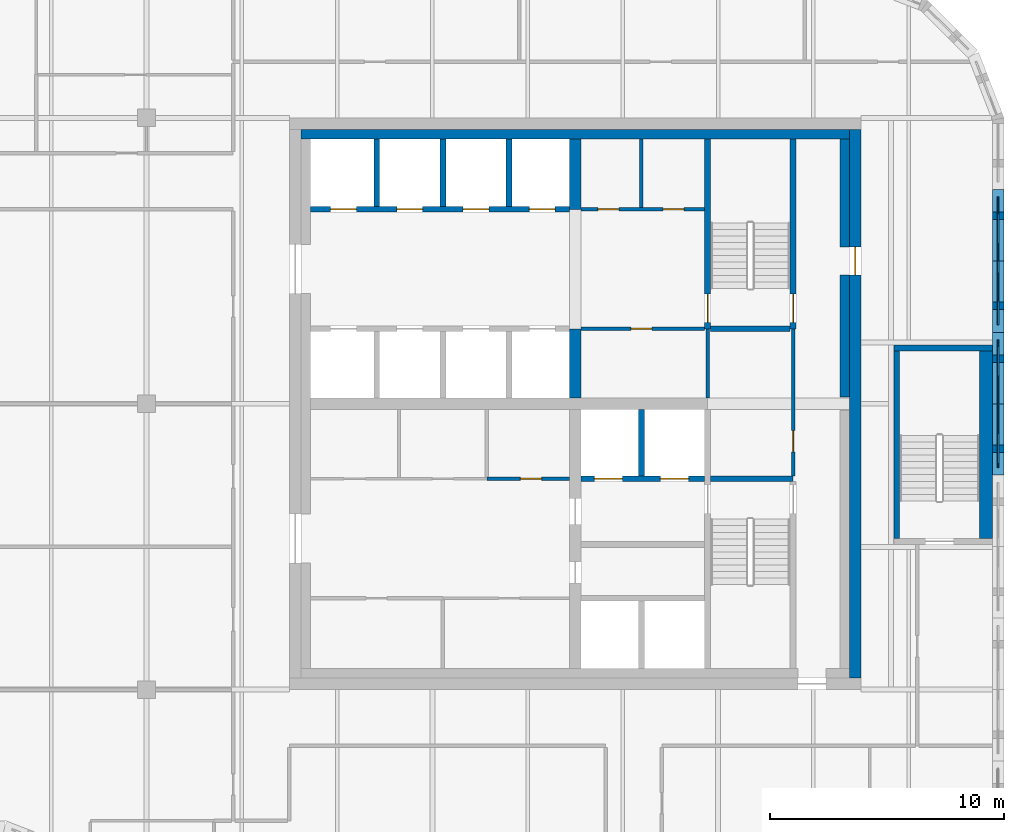
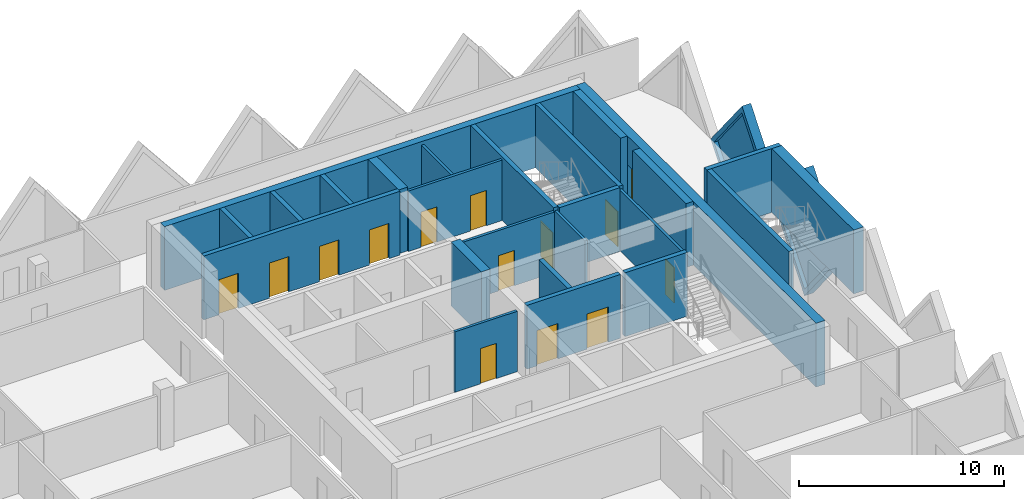
# One storey, part 9 of 12: 27 walls, 14 doors, 2 plates, 16 openings.
"""IFC4 building model written with IfcOpenShell, lengths in metres."""

from ifc_helpers import new_model, si_unit, direction, frame, frame_2d, origin, place, context, subcontext, project, spatial, polyline, rectangle, outline, extrude, faceted_brep, source, transform, mapped, material, layer, layer_set, type_object, element, fill, save


model = new_model("IFC4")

# Units and contexts
model_context = context("Model", 3, precision=1e-05, world=origin(), true_north=direction((0.0, 1.0)))
body_context = subcontext(model_context, "Body", "Model", "MODEL_VIEW")
ifc_project = project(units=[si_unit("LENGTHUNIT", "METRE"), si_unit("AREAUNIT", "SQUARE_METRE"), si_unit("VOLUMEUNIT", "CUBIC_METRE"), si_unit("PLANEANGLEUNIT", "RADIAN"), si_unit("MASSUNIT", "GRAM", prefix="KILO")], contexts=[model_context])

# Site, building, storey
site_placement = place(None, origin())
site = spatial("IfcSite", under=ifc_project, at=site_placement, CompositionType="ELEMENT")
building_placement = place(site_placement, origin())
building = spatial("IfcBuilding", under=site, at=building_placement, Name="Tessera Gate Towers", CompositionType="ELEMENT")
storey_placement = place(building_placement, frame((0.0, 0.0, 216.89990234375)))
storey = spatial("IfcBuildingStorey", under=building, at=storey_placement, Name="L54", CompositionType="ELEMENT", Elevation=216.89990234375)

# Wall, openings, doors
ifc_material_1 = material(Name="Concrete C40/50", Category="concrete")
ifc_layer_1 = layer(ifc_material_1, 0.25)
ifc_layer_set_1 = layer_set([ifc_layer_1], Name="CORE ENCLOSURE WALL 250")
wall_type_1 = type_object("IfcWallType", Name="CORE ENCLOSURE WALL 250", PredefinedType="SOLIDWALL", material=ifc_layer_set_1)
wall_1_placement = place(storey_placement, frame((42.449951171875, 44.89990234375, 0.0), z_axis=(0.0, 0.0, 1.0), x_axis=(-1.0, 0.0, 0.0)))
wall_1 = element("IfcWall", 1, at=wall_1_placement, inside=storey, type_object=wall_type_1, Name="L54 shaft and stair enclosure wall", PredefinedType="SOLIDWALL", context=body_context, shape_type="SweptSolid", body=[
    extrude(rectangle(XDim=11.050048828125, YDim=0.25, at=frame_2d((5.52490234375, 0.0))), origin(), (0.0, 0.0, 1.0), 3.800048828125),
])
shared_shape_1 = source(origin(), body_context, "Body", "SweptSolid", [
    extrude(rectangle(XDim=1.10009765625, YDim=2.10009765625, at=frame_2d((0.550048828125, 1.050048828125))), frame((0.0, 0.135009765625, 0.0), z_axis=(0.0, -1.0, 0.0), x_axis=(1.0, 0.0, 0.0)), (0.0, 0.0, 1.0), 0.27001953125),
])
opening_1_placement = place(wall_1_placement, frame((9.08740234375, 0.0, 0.0)))
opening_1 = element("IfcOpeningElement", 2, at=opening_1_placement, cuts=wall_1, Name="Opening LD-HR5", PredefinedType="OPENING", context=body_context, shape_type="MappedRepresentation", body=[
    mapped(shared_shape_1, transform((0.0, 0.0, 0.0), scale=1.0)),
])
opening_2_placement = place(wall_1_placement, frame((6.262451171875, 0.0, 0.0)))
opening_2 = element("IfcOpeningElement", 3, at=opening_2_placement, cuts=wall_1, Name="Opening LD-HR6", PredefinedType="OPENING", context=body_context, shape_type="MappedRepresentation", body=[
    mapped(shared_shape_1, transform((0.0, 0.0, 0.0), scale=1.0)),
])
opening_3_placement = place(wall_1_placement, frame((3.4375, 0.0, 0.0)))
opening_3 = element("IfcOpeningElement", 4, at=opening_3_placement, cuts=wall_1, Name="Opening LD-HR7", PredefinedType="OPENING", context=body_context, shape_type="MappedRepresentation", body=[
    mapped(shared_shape_1, transform((0.0, 0.0, 0.0), scale=1.0)),
])
opening_4_placement = place(wall_1_placement, frame((0.612548828125, 0.0, 0.0)))
opening_4 = element("IfcOpeningElement", 5, at=opening_4_placement, cuts=wall_1, Name="Opening LD-HR8", PredefinedType="OPENING", context=body_context, shape_type="MappedRepresentation", body=[
    mapped(shared_shape_1, transform((0.0, 0.0, 0.0), scale=1.0)),
])
ifc_material_2 = material(Name="Stainless steel", Category="steel")
door_type_1 = type_object("IfcDoorType", Name="CORE DOOR LD 1100x2100", OperationType="DOUBLE_DOOR_SLIDING", PredefinedType="DOOR", material=ifc_material_2)
shared_shape_2 = source(origin(), body_context, "Body", "SweptSolid", [
    extrude(rectangle(XDim=1.10009765625, YDim=2.10009765625, at=frame_2d((0.550048828125, 1.050048828125))), frame((0.0, 0.02490234375, 0.0), z_axis=(0.0, -1.0, 0.0), x_axis=(1.0, 0.0, 0.0)), (0.0, 0.0, 1.0), 0.050048828125),
])
door_1_placement = place(opening_1_placement, origin())
door_1 = element("IfcDoor", 6, at=door_1_placement, inside=storey, type_object=door_type_1, Name="Landing door HR5 L54", OperationType="DOUBLE_DOOR_SLIDING", OverallHeight=2.10009765625, OverallWidth=1.10009765625, PredefinedType="DOOR", context=body_context, shape_type="MappedRepresentation", body=[
    mapped(shared_shape_2, transform((0.0, 0.0, 0.0), scale=1.0)),
])
fill(opening_1, door_1)
door_2_placement = place(opening_2_placement, origin())
door_2 = element("IfcDoor", 7, at=door_2_placement, inside=storey, type_object=door_type_1, Name="Landing door HR6 L54", OperationType="DOUBLE_DOOR_SLIDING", OverallHeight=2.10009765625, OverallWidth=1.10009765625, PredefinedType="DOOR", context=body_context, shape_type="MappedRepresentation", body=[
    mapped(shared_shape_2, transform((0.0, 0.0, 0.0), scale=1.0)),
])
fill(opening_2, door_2)
door_3_placement = place(opening_3_placement, origin())
door_3 = element("IfcDoor", 8, at=door_3_placement, inside=storey, type_object=door_type_1, Name="Landing door HR7 L54", OperationType="DOUBLE_DOOR_SLIDING", OverallHeight=2.10009765625, OverallWidth=1.10009765625, PredefinedType="DOOR", context=body_context, shape_type="MappedRepresentation", body=[
    mapped(shared_shape_2, transform((0.0, 0.0, 0.0), scale=1.0)),
])
fill(opening_3, door_3)
door_4_placement = place(opening_4_placement, origin())
door_4 = element("IfcDoor", 9, at=door_4_placement, inside=storey, type_object=door_type_1, Name="Landing door HR8 L54", OperationType="DOUBLE_DOOR_SLIDING", OverallHeight=2.10009765625, OverallWidth=1.10009765625, PredefinedType="DOOR", context=body_context, shape_type="MappedRepresentation", body=[
    mapped(shared_shape_2, transform((0.0, 0.0, 0.0), scale=1.0)),
])
fill(opening_4, door_4)

wall_2_placement = place(storey_placement, frame((48.22509765625, 33.39990234375, 0.0), z_axis=(0.0, 0.0, 1.0), x_axis=(-1.0, 0.0, 0.0)))
wall_2 = element("IfcWall", 10, at=wall_2_placement, inside=storey, type_object=wall_type_1, Name="L54 shaft and stair enclosure wall", PredefinedType="SOLIDWALL", context=body_context, shape_type="SweptSolid", body=[
    extrude(rectangle(XDim=5.275146484375, YDim=0.25, at=frame_2d((2.6376953125, 0.0))), origin(), (0.0, 0.0, 1.0), 3.800048828125),
])
shared_shape_3 = source(origin(), body_context, "Body", "SweptSolid", [
    extrude(rectangle(XDim=1.199951171875, YDim=2.10009765625, at=frame_2d((0.60009765625, 1.050048828125))), frame((0.0, 0.135009765625, 0.0), z_axis=(0.0, -1.0, 0.0), x_axis=(1.0, 0.0, 0.0)), (0.0, 0.0, 1.0), 0.27001953125),
])
opening_5_placement = place(wall_2_placement, frame((3.512451171875, 0.0, 0.0)))
opening_5 = element("IfcOpeningElement", 11, at=opening_5_placement, cuts=wall_2, Name="Opening LD-FF1", PredefinedType="OPENING", context=body_context, shape_type="MappedRepresentation", body=[
    mapped(shared_shape_3, transform((0.0, 0.0, 0.0), scale=1.0)),
])
opening_6_placement = place(wall_2_placement, frame((0.6875, 0.0, 0.0)))
opening_6 = element("IfcOpeningElement", 12, at=opening_6_placement, cuts=wall_2, Name="Opening LD-FF2", PredefinedType="OPENING", context=body_context, shape_type="MappedRepresentation", body=[
    mapped(shared_shape_3, transform((0.0, 0.0, 0.0), scale=1.0)),
])
ifc_material_3 = material(Name="Stainless steel", Category="steel")
door_type_2 = type_object("IfcDoorType", Name="CORE DOOR LD1200 1200x2100", OperationType="DOUBLE_DOOR_SLIDING", PredefinedType="DOOR", material=ifc_material_3)
shared_shape_4 = source(origin(), body_context, "Body", "SweptSolid", [
    extrude(rectangle(XDim=1.199951171875, YDim=2.10009765625, at=frame_2d((0.60009765625, 1.050048828125))), frame((0.0, 0.02490234375, 0.0), z_axis=(0.0, -1.0, 0.0), x_axis=(1.0, 0.0, 0.0)), (0.0, 0.0, 1.0), 0.050048828125),
])
door_5_placement = place(opening_5_placement, origin())
door_5 = element("IfcDoor", 13, at=door_5_placement, inside=storey, type_object=door_type_2, Name="Landing door FF1 L54", OperationType="DOUBLE_DOOR_SLIDING", OverallHeight=2.10009765625, OverallWidth=1.199951171875, PredefinedType="DOOR", context=body_context, shape_type="MappedRepresentation", body=[
    mapped(shared_shape_4, transform((0.0, 0.0, 0.0), scale=1.0)),
])
fill(opening_5, door_5)
door_6_placement = place(opening_6_placement, origin())
door_6 = element("IfcDoor", 14, at=door_6_placement, inside=storey, type_object=door_type_2, Name="Landing door FF2 L54", OperationType="DOUBLE_DOOR_SLIDING", OverallHeight=2.10009765625, OverallWidth=1.199951171875, PredefinedType="DOOR", context=body_context, shape_type="MappedRepresentation", body=[
    mapped(shared_shape_4, transform((0.0, 0.0, 0.0), scale=1.0)),
])
fill(opening_6, door_6)

# Wall
wall_3_placement = place(storey_placement, frame((48.47509765625, 33.39990234375, 0.0), z_axis=(0.0, 0.0, 1.0), x_axis=(1.0, 0.0, 0.0)))
element("IfcWall", 15, at=wall_3_placement, inside=storey, type_object=wall_type_1, Name="L54 shaft and stair enclosure wall", PredefinedType="SOLIDWALL", context=body_context, shape_type="SweptSolid", body=[
    extrude(rectangle(XDim=3.52490234375, YDim=0.25, at=frame_2d((1.762451171875, 0.0))), origin(), (0.0, 0.0, 1.0), 3.800048828125),
])

# Wall, opening, door
wall_4_placement = place(storey_placement, frame((48.35009765625, 47.89990234375, 0.0), z_axis=(0.0, 0.0, 1.0), x_axis=(0.0, -1.0, 0.0)))
wall_4 = element("IfcWall", 16, at=wall_4_placement, inside=storey, type_object=wall_type_1, Name="L54 shaft and stair enclosure wall", PredefinedType="SOLIDWALL", context=body_context, shape_type="SweptSolid", body=[
    extrude(rectangle(XDim=8.099853515625, YDim=0.25, at=frame_2d((4.0498046875, 0.0))), origin(), (0.0, 0.0, 1.0), 3.800048828125),
])
opening_7_placement = place(wall_4_placement, frame((6.625, 0.0, 0.0)))
opening_7 = element("IfcOpeningElement", 17, at=opening_7_placement, cuts=wall_4, Name="Opening SD-ST2-1", PredefinedType="OPENING", context=body_context, shape_type="MappedRepresentation", body=[
    mapped(shared_shape_3, transform((0.0, 0.0, 0.0), scale=1.0)),
])
ifc_material_4 = material(Name="Hollow steel fire door", Category="steel")
door_type_3 = type_object("IfcDoorType", Name="CORE DOOR SD 1200x2100", OperationType="NOTDEFINED", PredefinedType="DOOR", material=ifc_material_4)
door_7_placement = place(opening_7_placement, origin())
door_7 = element("IfcDoor", 18, at=door_7_placement, inside=storey, type_object=door_type_3, Name="Stair door", OperationType="SINGLE_SWING_RIGHT", OverallHeight=2.10009765625, OverallWidth=1.199951171875, PredefinedType="DOOR", context=body_context, shape_type="MappedRepresentation", body=[
    mapped(shared_shape_4, transform((0.0, 0.0, 0.0), scale=1.0)),
])
fill(opening_7, door_7)

wall_5_placement = place(storey_placement, frame((52.0, 39.800048828125, 0.0), z_axis=(0.0, 0.0, 1.0), x_axis=(0.0, 1.0, 0.0)))
wall_5 = element("IfcWall", 19, at=wall_5_placement, inside=storey, type_object=wall_type_1, Name="L54 shaft and stair enclosure wall", PredefinedType="SOLIDWALL", context=body_context, shape_type="SweptSolid", body=[
    extrude(rectangle(XDim=8.099853515625, YDim=0.25, at=frame_2d((4.0498046875, 0.0))), origin(), (0.0, 0.0, 1.0), 3.800048828125),
])
opening_8_placement = place(wall_5_placement, frame((0.27490234375, 0.0, 0.0)))
opening_8 = element("IfcOpeningElement", 20, at=opening_8_placement, cuts=wall_5, Name="Opening SD-ST2-2", PredefinedType="OPENING", context=body_context, shape_type="MappedRepresentation", body=[
    mapped(shared_shape_3, transform((0.0, 0.0, 0.0), scale=1.0)),
])
door_8_placement = place(opening_8_placement, origin())
door_8 = element("IfcDoor", 21, at=door_8_placement, inside=storey, type_object=door_type_3, Name="Stair door", OperationType="SINGLE_SWING_LEFT", OverallHeight=2.10009765625, OverallWidth=1.199951171875, PredefinedType="DOOR", context=body_context, shape_type="MappedRepresentation", body=[
    mapped(shared_shape_4, transform((0.0, 0.0, 0.0), scale=1.0)),
])
fill(opening_8, door_8)

# Walls
wall_6_placement = place(storey_placement, frame((48.47509765625, 39.800048828125, 0.0), z_axis=(0.0, 0.0, 1.0), x_axis=(1.0, 0.0, 0.0)))
element("IfcWall", 22, at=wall_6_placement, inside=storey, type_object=wall_type_1, Name="L54 shaft and stair enclosure wall", PredefinedType="SOLIDWALL", context=body_context, shape_type="SweptSolid", body=[
    extrude(rectangle(XDim=3.39990234375, YDim=0.25, at=frame_2d((1.699951171875, 0.0))), origin(), (0.0, 0.0, 1.0), 3.800048828125),
])
wall_7_placement = place(storey_placement, frame((45.52490234375, 33.52490234375, 0.0), z_axis=(0.0, 0.0, 1.0), x_axis=(0.0, 1.0, 0.0)))
element("IfcWall", 23, at=wall_7_placement, inside=storey, type_object=wall_type_1, Name="L54 shaft and stair enclosure wall", PredefinedType="SOLIDWALL", context=body_context, shape_type="SweptSolid", body=[
    extrude(rectangle(XDim=2.8251953125, YDim=0.25, at=frame_2d((1.41259765625, 0.0))), origin(), (0.0, 0.0, 1.0), 3.800048828125),
])
for number, where, z_axis, x_axis, name in (
    (24, (34.22509765625, 45.02490234375, 0.0), (0.0, 0.0, 1.0), (0.0, 1.0, 0.0), "L54 shaft and stair enclosure wall"),
    (25, (37.050048828125, 45.02490234375, 0.0), (0.0, 0.0, 1.0), (0.0, 1.0, 0.0), "L54 shaft and stair enclosure wall"),
    (26, (39.875, 45.02490234375, 0.0), (0.0, 0.0, 1.0), (0.0, 1.0, 0.0), "L54 shaft and stair enclosure wall"),
):
    element("IfcWall", number, at=place(storey_placement, frame(where, z_axis=z_axis, x_axis=x_axis)), inside=storey, type_object=wall_type_1, Name=name, PredefinedType="SOLIDWALL", context=body_context, shape_type="SweptSolid", body=[
        extrude(rectangle(XDim=2.875, YDim=0.25, at=frame_2d((1.4375, 0.0))), origin(), (0.0, 0.0, 1.0), 3.800048828125),
    ])
wall_8_placement = place(storey_placement, frame((56.425048828125, 30.85009765625, 0.0), z_axis=(0.0, 0.0, 1.0), x_axis=(0.0, 1.0, 0.0)))
element("IfcWall", 27, at=wall_8_placement, inside=storey, type_object=wall_type_1, Name="L54 ST5 enclosure wall", PredefinedType="SOLIDWALL", context=body_context, shape_type="SweptSolid", body=[
    extrude(rectangle(XDim=8.0, YDim=0.25, at=frame_2d((4.0, 0.0))), origin(), (0.0, 0.0, 1.0), 3.800048828125),
])
wall_9_placement = place(storey_placement, frame((56.300048828125, 38.97509765625, 0.0), z_axis=(0.0, 0.0, 1.0), x_axis=(1.0, 0.0, 0.0)))
element("IfcWall", 28, at=wall_9_placement, inside=storey, type_object=wall_type_1, Name="L54 ST5 enclosure wall", PredefinedType="SOLIDWALL", context=body_context, shape_type="SweptSolid", body=[
    extrude(rectangle(XDim=4.199951171875, YDim=0.25, at=frame_2d((2.10009765625, 0.0))), origin(), (0.0, 0.0, 1.0), 3.800048828125),
])
ifc_material_5 = material(Name="Concrete C40/50", Category="concrete")
ifc_layer_2 = layer(ifc_material_5, 0.550048828125)
ifc_layer_set_2 = layer_set([ifc_layer_2], Name="CORE ENCLOSURE WALL 550")
wall_type_2 = type_object("IfcWallType", Name="CORE ENCLOSURE WALL 550", PredefinedType="SOLIDWALL", material=ifc_layer_set_2)
wall_10_placement = place(storey_placement, frame((60.22509765625, 38.85009765625, 0.0), z_axis=(0.0, 0.0, 1.0), x_axis=(0.0, -1.0, 0.0)))
element("IfcWall", 29, at=wall_10_placement, inside=storey, type_object=wall_type_2, Name="L54 ST5 enclosure wall", PredefinedType="SOLIDWALL", context=body_context, shape_type="SweptSolid", body=[
    extrude(rectangle(XDim=8.0, YDim=0.550048828125, at=frame_2d((4.0, 0.0))), origin(), (0.0, 0.0, 1.0), 3.800048828125),
])

# Wall, opening, door
ifc_material_6 = material(Name="Concrete C50/60", Category="concrete")
ifc_layer_3 = layer(ifc_material_6, 0.5)
ifc_layer_set_3 = layer_set([ifc_layer_3], Name="CORE SHEAR WALL 500 C50/60")
wall_type_3 = type_object("IfcWallType", Name="CORE SHEAR WALL 500 C50/60", PredefinedType="SHEAR", material=ifc_layer_set_3)
wall_11_placement = place(storey_placement, frame((54.64990234375, 48.300048828125, 0.0), z_axis=(0.0, 0.0, 1.0), x_axis=(0.0, -1.0, 0.0)))
wall_11 = element("IfcWall", 30, at=wall_11_placement, inside=storey, type_object=wall_type_3, Name="Core wall E L54", PredefinedType="SHEAR", context=body_context, shape_type="SweptSolid", body=[
    extrude(rectangle(XDim=23.400146484375, YDim=0.5, at=frame_2d((11.7001953125, 0.0))), origin(), (0.0, 0.0, 1.0), 3.800048828125),
])
shared_shape_5 = source(origin(), body_context, "Body", "SweptSolid", [
    extrude(rectangle(XDim=1.199951171875, YDim=2.10009765625, at=frame_2d((0.60009765625, 1.050048828125))), frame((0.0, 0.260009765625, 0.0), z_axis=(0.0, -1.0, 0.0), x_axis=(1.0, 0.0, 0.0)), (0.0, 0.0, 1.0), 0.52001953125),
])
opening_9_placement = place(wall_11_placement, frame((5.0, 0.0, 0.0)))
opening_9 = element("IfcOpeningElement", 31, at=opening_9_placement, cuts=wall_11, Name="Opening ED-T1-33-04", PredefinedType="OPENING", context=body_context, shape_type="MappedRepresentation", body=[
    mapped(shared_shape_5, transform((0.0, 0.0, 0.0), scale=1.0)),
])
ifc_material_7 = material(Name="Hollow steel fire door", Category="steel")
door_type_4 = type_object("IfcDoorType", Name="CORE DOOR ED 1200x2100", OperationType="NOTDEFINED", PredefinedType="DOOR", material=ifc_material_7)
door_9_placement = place(opening_9_placement, origin())
door_9 = element("IfcDoor", 32, at=door_9_placement, inside=storey, type_object=door_type_4, Name="Core exit door", OperationType="SINGLE_SWING_LEFT", OverallHeight=2.10009765625, OverallWidth=1.199951171875, PredefinedType="DOOR", context=body_context, shape_type="MappedRepresentation", body=[
    mapped(shared_shape_4, transform((0.0, 0.0, 0.0), scale=1.0)),
])
fill(opening_9, door_9)

# Walls
ifc_material_8 = material(Name="Concrete C50/60", Category="concrete")
ifc_layer_4 = layer(ifc_material_8, 0.5)
ifc_layer_set_4 = layer_set([ifc_layer_4], Name="CORE SPINE WALL 500 C50/60")
wall_type_4 = type_object("IfcWallType", Name="CORE SPINE WALL 500 C50/60", PredefinedType="SHEAR", material=ifc_layer_set_4)
wall_12_placement = place(storey_placement, frame((42.699951171875, 36.85009765625, 0.0), z_axis=(0.0, 0.0, 1.0), x_axis=(0.0, 1.0, 0.0)))
element("IfcWall", 33, at=wall_12_placement, inside=storey, type_object=wall_type_4, Name="Core wall spine L54", PredefinedType="SHEAR", context=body_context, shape_type="SweptSolid", body=[
    extrude(rectangle(XDim=2.949951171875, YDim=0.5, at=frame_2d((1.47509765625, 0.0))), origin(), (0.0, 0.0, 1.0), 3.800048828125),
])
wall_13_placement = place(storey_placement, frame((42.699951171875, 44.89990234375, 0.0), z_axis=(0.0, 0.0, 1.0), x_axis=(0.0, 1.0, 0.0)))
element("IfcWall", 34, at=wall_13_placement, inside=storey, type_object=wall_type_4, Name="Core wall spine L54", PredefinedType="SHEAR", context=body_context, shape_type="SweptSolid", body=[
    extrude(rectangle(XDim=3.0, YDim=0.5, at=frame_2d((1.5, 0.0))), origin(), (0.0, 0.0, 1.0), 3.800048828125),
])
ifc_material_9 = material(Name="Concrete C50/60", Category="concrete")
ifc_layer_5 = layer(ifc_material_9, 0.39990234375)
ifc_layer_set_5 = layer_set([ifc_layer_5], Name="CORE WALL THICKENING 400")
wall_type_5 = type_object("IfcWallType", Name="CORE WALL THICKENING 400", PredefinedType="SOLIDWALL", material=ifc_layer_set_5)
wall_14_placement = place(storey_placement, frame((31.0, 48.10009765625, 0.0), z_axis=(0.0, 0.0, 1.0), x_axis=(1.0, 0.0, 0.0)))
element("IfcWall", 35, at=wall_14_placement, inside=storey, type_object=wall_type_5, Name="Core wall thickening N L54", PredefinedType="SOLIDWALL", context=body_context, shape_type="SweptSolid", body=[
    extrude(rectangle(XDim=23.39990234375, YDim=0.39990234375, at=frame_2d((11.699951171875, 0.0))), origin(), (0.0, 0.0, 1.0), 3.800048828125),
])
wall_15_placement = place(storey_placement, frame((54.199951171875, 36.8798828125, 0.0), z_axis=(0.0, 0.0, 1.0), x_axis=(0.0, 1.0, 0.0)))
element("IfcWall", 36, at=wall_15_placement, inside=storey, type_object=wall_type_5, Name="Core wall thickening E L54", PredefinedType="SOLIDWALL", context=body_context, shape_type="SweptSolid", body=[
    extrude(rectangle(XDim=5.22021484375, YDim=0.39990234375, at=frame_2d((2.610107421875, 0.0))), origin(), (0.0, 0.0, 1.0), 3.800048828125),
])
wall_16_placement = place(storey_placement, frame((54.199951171875, 43.300048828125, 0.0), z_axis=(0.0, 0.0, 1.0), x_axis=(0.0, 1.0, 0.0)))
element("IfcWall", 37, at=wall_16_placement, inside=storey, type_object=wall_type_5, Name="Core wall thickening E L54", PredefinedType="SOLIDWALL", context=body_context, shape_type="SweptSolid", body=[
    extrude(rectangle(XDim=4.599853515625, YDim=0.39990234375, at=frame_2d((2.2998046875, 0.0))), origin(), (0.0, 0.0, 1.0), 3.800048828125),
])

# Wall, opening, door
ifc_material_10 = material(Name="Gypsum board on steel studs", Category="steel")
ifc_layer_6 = layer(ifc_material_10, 0.14990234375)
ifc_layer_set_6 = layer_set([ifc_layer_6], Name="SERVICE ROOM WALL 150")
wall_type_6 = type_object("IfcWallType", Name="SERVICE ROOM WALL 150", PredefinedType="PARTITIONING", material=ifc_layer_set_6)
wall_17_placement = place(storey_placement, frame((52.0, 33.52490234375, 0.0), z_axis=(0.0, 0.0, 1.0), x_axis=(0.0, 1.0, 0.0)))
wall_17 = element("IfcWall", 38, at=wall_17_placement, inside=storey, type_object=wall_type_6, Name="L54 service room wall", PredefinedType="PARTITIONING", context=body_context, shape_type="SweptSolid", body=[
    extrude(rectangle(XDim=6.275146484375, YDim=0.14990234375, at=frame_2d((3.1376953125, 0.0))), origin(), (0.0, 0.0, 1.0), 3.60009765625),
])
shared_shape_6 = source(origin(), body_context, "Body", "SweptSolid", [
    extrude(rectangle(XDim=0.89990234375, YDim=2.10009765625, at=frame_2d((0.449951171875, 1.050048828125))), frame((0.0, 0.0849609375, 0.0), z_axis=(0.0, -1.0, 0.0), x_axis=(1.0, 0.0, 0.0)), (0.0, 0.0, 1.0), 0.169921875),
])
opening_10_placement = place(wall_17_placement, frame((1.02490234375, 0.0, 0.0)))
opening_10 = element("IfcOpeningElement", 39, at=opening_10_placement, cuts=wall_17, Name="Opening RD-T1-33-09", PredefinedType="OPENING", context=body_context, shape_type="MappedRepresentation", body=[
    mapped(shared_shape_6, transform((0.0, 0.0, 0.0), scale=1.0)),
])
ifc_material_11 = material(Name="Hollow steel fire door", Category="steel")
door_type_5 = type_object("IfcDoorType", Name="CORE DOOR RD 900x2100", OperationType="NOTDEFINED", PredefinedType="DOOR", material=ifc_material_11)
shared_shape_7 = source(origin(), body_context, "Body", "SweptSolid", [
    extrude(rectangle(XDim=0.89990234375, YDim=2.10009765625, at=frame_2d((0.449951171875, 1.050048828125))), frame((0.0, 0.02490234375, 0.0), z_axis=(0.0, -1.0, 0.0), x_axis=(1.0, 0.0, 0.0)), (0.0, 0.0, 1.0), 0.050048828125),
])
door_10_placement = place(opening_10_placement, origin())
door_10 = element("IfcDoor", 40, at=door_10_placement, inside=storey, type_object=door_type_5, Name="Core room door", OperationType="SINGLE_SWING_LEFT", OverallHeight=2.10009765625, OverallWidth=0.89990234375, PredefinedType="DOOR", context=body_context, shape_type="MappedRepresentation", body=[
    mapped(shared_shape_7, transform((0.0, 0.0, 0.0), scale=1.0)),
])
fill(opening_10, door_10)

wall_18_placement = place(storey_placement, frame((48.22509765625, 39.800048828125, 0.0), z_axis=(0.0, 0.0, 1.0), x_axis=(-1.0, 0.0, 0.0)))
wall_18 = element("IfcWall", 41, at=wall_18_placement, inside=storey, type_object=wall_type_6, Name="L54 service room wall", PredefinedType="PARTITIONING", context=body_context, shape_type="SweptSolid", body=[
    extrude(rectangle(XDim=5.275146484375, YDim=0.14990234375, at=frame_2d((2.6376953125, 0.0))), origin(), (0.0, 0.0, 1.0), 3.60009765625),
])
opening_11_placement = place(wall_18_placement, frame((2.25, 0.0, 0.0)))
opening_11 = element("IfcOpeningElement", 42, at=opening_11_placement, cuts=wall_18, Name="Opening RD-T1-33-10", PredefinedType="OPENING", context=body_context, shape_type="MappedRepresentation", body=[
    mapped(shared_shape_6, transform((0.0, 0.0, 0.0), scale=1.0)),
])
door_11_placement = place(opening_11_placement, origin())
door_11 = element("IfcDoor", 43, at=door_11_placement, inside=storey, type_object=door_type_5, Name="Core room door", OperationType="SINGLE_SWING_RIGHT", OverallHeight=2.10009765625, OverallWidth=0.89990234375, PredefinedType="DOOR", context=body_context, shape_type="MappedRepresentation", body=[
    mapped(shared_shape_7, transform((0.0, 0.0, 0.0), scale=1.0)),
])
fill(opening_11, door_11)

# Wall, openings, doors
wall_19_placement = place(storey_placement, frame((42.949951171875, 44.89990234375, 0.0), z_axis=(0.0, 0.0, 1.0), x_axis=(1.0, 0.0, 0.0)))
wall_19 = element("IfcWall", 44, at=wall_19_placement, inside=storey, type_object=wall_type_6, Name="L54 service room wall", PredefinedType="PARTITIONING", context=body_context, shape_type="SweptSolid", body=[
    extrude(rectangle(XDim=5.275146484375, YDim=0.14990234375, at=frame_2d((2.6376953125, 0.0))), origin(), (0.0, 0.0, 1.0), 3.60009765625),
])
opening_12_placement = place(wall_19_placement, frame((0.71240234375, 0.0, 0.0)))
opening_12 = element("IfcOpeningElement", 45, at=opening_12_placement, cuts=wall_19, Name="Opening RD-T1-33-11", PredefinedType="OPENING", context=body_context, shape_type="MappedRepresentation", body=[
    mapped(shared_shape_6, transform((0.0, 0.0, 0.0), scale=1.0)),
])
opening_13_placement = place(wall_19_placement, frame((3.5, 0.0, 0.0)))
opening_13 = element("IfcOpeningElement", 46, at=opening_13_placement, cuts=wall_19, Name="Opening RD-T1-33-12", PredefinedType="OPENING", context=body_context, shape_type="MappedRepresentation", body=[
    mapped(shared_shape_6, transform((0.0, 0.0, 0.0), scale=1.0)),
])
door_12_placement = place(opening_12_placement, origin())
door_12 = element("IfcDoor", 47, at=door_12_placement, inside=storey, type_object=door_type_5, Name="Core room door", OperationType="SINGLE_SWING_LEFT", OverallHeight=2.10009765625, OverallWidth=0.89990234375, PredefinedType="DOOR", context=body_context, shape_type="MappedRepresentation", body=[
    mapped(shared_shape_7, transform((0.0, 0.0, 0.0), scale=1.0)),
])
fill(opening_12, door_12)
door_13_placement = place(opening_13_placement, origin())
door_13 = element("IfcDoor", 48, at=door_13_placement, inside=storey, type_object=door_type_5, Name="Core room door", OperationType="SINGLE_SWING_RIGHT", OverallHeight=2.10009765625, OverallWidth=0.89990234375, PredefinedType="DOOR", context=body_context, shape_type="MappedRepresentation", body=[
    mapped(shared_shape_7, transform((0.0, 0.0, 0.0), scale=1.0)),
])
fill(opening_13, door_13)

# Wall, opening, door
wall_20_placement = place(storey_placement, frame((38.925048828125, 33.39990234375, 0.0), z_axis=(0.0, 0.0, 1.0), x_axis=(1.0, 0.0, 0.0)))
wall_20 = element("IfcWall", 49, at=wall_20_placement, inside=storey, type_object=wall_type_6, Name="L54 service room wall", PredefinedType="PARTITIONING", context=body_context, shape_type="SweptSolid", body=[
    extrude(rectangle(XDim=3.52490234375, YDim=0.14990234375, at=frame_2d((1.762451171875, 0.0))), origin(), (0.0, 0.0, 1.0), 3.60009765625),
])
opening_14_placement = place(wall_20_placement, frame((1.4375, 0.0, 0.0)))
opening_14 = element("IfcOpeningElement", 50, at=opening_14_placement, cuts=wall_20, Name="Opening RD-T1-33-15", PredefinedType="OPENING", context=body_context, shape_type="MappedRepresentation", body=[
    mapped(shared_shape_6, transform((0.0, 0.0, 0.0), scale=1.0)),
])
door_14_placement = place(opening_14_placement, origin())
door_14 = element("IfcDoor", 51, at=door_14_placement, inside=storey, type_object=door_type_5, Name="Core room door", OperationType="SINGLE_SWING_RIGHT", OverallHeight=2.10009765625, OverallWidth=0.89990234375, PredefinedType="DOOR", context=body_context, shape_type="MappedRepresentation", body=[
    mapped(shared_shape_7, transform((0.0, 0.0, 0.0), scale=1.0)),
])
fill(opening_14, door_14)

# Walls
wall_21_placement = place(storey_placement, frame((48.35009765625, 36.85009765625, 0.0), z_axis=(0.0, 0.0, 1.0), x_axis=(0.0, 1.0, 0.0)))
element("IfcWall", 52, at=wall_21_placement, inside=storey, type_object=wall_type_6, Name="L54 service room wall", PredefinedType="PARTITIONING", context=body_context, shape_type="SweptSolid", body=[
    extrude(rectangle(XDim=2.949951171875, YDim=0.14990234375, at=frame_2d((1.47509765625, 0.0))), origin(), (0.0, 0.0, 1.0), 3.60009765625),
])
wall_22_placement = place(storey_placement, frame((45.52490234375, 44.97509765625, 0.0), z_axis=(0.0, 0.0, 1.0), x_axis=(0.0, 1.0, 0.0)))
element("IfcWall", 53, at=wall_22_placement, inside=storey, type_object=wall_type_6, Name="L54 service room wall", PredefinedType="PARTITIONING", context=body_context, shape_type="SweptSolid", body=[
    extrude(rectangle(XDim=2.9248046875, YDim=0.14990234375, at=frame_2d((1.46240234375, 0.0))), origin(), (0.0, 0.0, 1.0), 3.60009765625),
])

# Wall, opening, plate
ifc_material_12 = material(Name="Precast concrete C60/75 white", Category="concrete")
ifc_layer_7 = layer(ifc_material_12, 0.5)
ifc_layer_set_7 = layer_set([ifc_layer_7], Name="TS1 tessera")
wall_type_7 = type_object("IfcWallType", Name="TS1 tessera", PredefinedType="SOLIDWALL", material=ifc_layer_set_7)
shared_shape_8 = source(origin(), body_context, "Body", "Brep", [
    faceted_brep([(3.050048828125, -0.25, 0.0), (6.099853515625, -0.25, 3.799560546875), (6.099853515625, -0.25, 3.800048828125), (3.050048828125, -0.25, 7.599853515625), (0.0, -0.25, 3.7998046875), (0.0, 0.25, 3.7998046875), (3.050048828125, 0.25, 7.599853515625), (6.099853515625, 0.25, 3.800048828125), (6.099853515625, 0.25, 3.799560546875), (3.050048828125, 0.25, 0.0)], [[[0, 1, 2, 3, 4]], [[5, 6, 7, 8, 9]], [[9, 8, 1, 0]], [[7, 6, 3, 2]], [[6, 5, 4, 3]], [[5, 9, 0, 4]], [[1, 8, 7, 2]]]),
])
wall_23_placement = place(storey_placement, frame((60.75, 33.550048828125, -3.7998046875), z_axis=(0.0, 0.0, 1.0), x_axis=(0.0, 1.0, 0.0)))
wall_23 = element("IfcWall", 54, at=wall_23_placement, inside=storey, type_object=wall_type_7, Name="Precast tessera T1 TS1-0951", PredefinedType="SOLIDWALL", context=body_context, shape_type="MappedRepresentation", body=[
    mapped(shared_shape_8, transform((0.0, 0.0, 0.0), scale=1.0)),
])
shared_shape_9 = source(origin(), body_context, "Body", "SweptSolid", [
    extrude(outline(polyline([(3.050048828125, 0.3994140625), (5.779541015625, 3.7998046875), (3.050048828125, 7.200439453125), (0.320556640625, 3.7998046875), (3.050048828125, 0.3994140625)])), frame((0.0, 0.260009765625, 0.0), z_axis=(0.0, -1.0, 0.0), x_axis=(1.0, 0.0, 0.0)), (0.0, 0.0, 1.0), 0.52001953125),
])
opening_15_placement = place(wall_23_placement, origin())
opening_15 = element("IfcOpeningElement", 55, at=opening_15_placement, cuts=wall_23, Name="Opening T1-PL2-1939", PredefinedType="OPENING", context=body_context, shape_type="MappedRepresentation", body=[
    mapped(shared_shape_9, transform((0.0, 0.0, 0.0), scale=1.0)),
])
ifc_material_13 = material(Name="Low-e laminated glass", Category="glass")
ifc_layer_8 = layer(ifc_material_13, 0.06005859375)
ifc_layer_set_8 = layer_set([ifc_layer_8], Name="PL2 rhombic pane")
plate_type = type_object("IfcPlateType", Name="PL2 rhombic pane", PredefinedType="SHEET", material=ifc_layer_set_8)
shared_shape_10 = source(origin(), body_context, "Body", "SweptSolid", [
    extrude(outline(polyline([(3.050048828125, 0.3994140625), (5.779541015625, 3.7998046875), (3.050048828125, 7.200439453125), (0.320556640625, 3.7998046875), (3.050048828125, 0.3994140625)])), frame((0.0, 0.030029296875, 0.0), z_axis=(0.0, -1.0, 0.0), x_axis=(1.0, 0.0, 0.0)), (0.0, 0.0, 1.0), 0.06005859375),
])
plate_1_placement = place(opening_15_placement, origin())
plate_1 = element("IfcPlate", 56, at=plate_1_placement, inside=storey, type_object=plate_type, Name="Glass pane T1 PL2-1939", PredefinedType="SHEET", context=body_context, shape_type="MappedRepresentation", body=[
    mapped(shared_shape_10, transform((0.0, 0.0, 0.0), scale=1.0)),
])
fill(opening_15, plate_1)

shared_shape_11 = source(origin(), body_context, "Body", "SweptSolid", [
    extrude(outline(polyline([(3.050048828125, 0.0), (6.10009765625, 3.7998046875), (3.050048828125, 7.599853515625), (0.0, 3.7998046875), (3.050048828125, 0.0)])), frame((0.0, 0.25, 0.0), z_axis=(0.0, -1.0, 0.0), x_axis=(1.0, 0.0, 0.0)), (0.0, 0.0, 1.0), 0.5),
])
wall_24_placement = place(storey_placement, frame((60.75, 39.64990234375, -3.7998046875), z_axis=(0.0, 0.0, 1.0), x_axis=(0.0, 1.0, 0.0)))
wall_24 = element("IfcWall", 57, at=wall_24_placement, inside=storey, type_object=wall_type_7, Name="Precast tessera T1 TS1-0952", PredefinedType="SOLIDWALL", context=body_context, shape_type="MappedRepresentation", body=[
    mapped(shared_shape_11, transform((0.0, 0.0, 0.0), scale=1.0)),
])
opening_16_placement = place(wall_24_placement, origin())
opening_16 = element("IfcOpeningElement", 58, at=opening_16_placement, cuts=wall_24, Name="Opening T1-PL2-1940", PredefinedType="OPENING", context=body_context, shape_type="MappedRepresentation", body=[
    mapped(shared_shape_9, transform((0.0, 0.0, 0.0), scale=1.0)),
])
plate_2_placement = place(opening_16_placement, origin())
plate_2 = element("IfcPlate", 59, at=plate_2_placement, inside=storey, type_object=plate_type, Name="Glass pane T1 PL2-1940", PredefinedType="SHEET", context=body_context, shape_type="MappedRepresentation", body=[
    mapped(shared_shape_10, transform((0.0, 0.0, 0.0), scale=1.0)),
])
fill(opening_16, plate_2)

save(model, "model.ifc")
